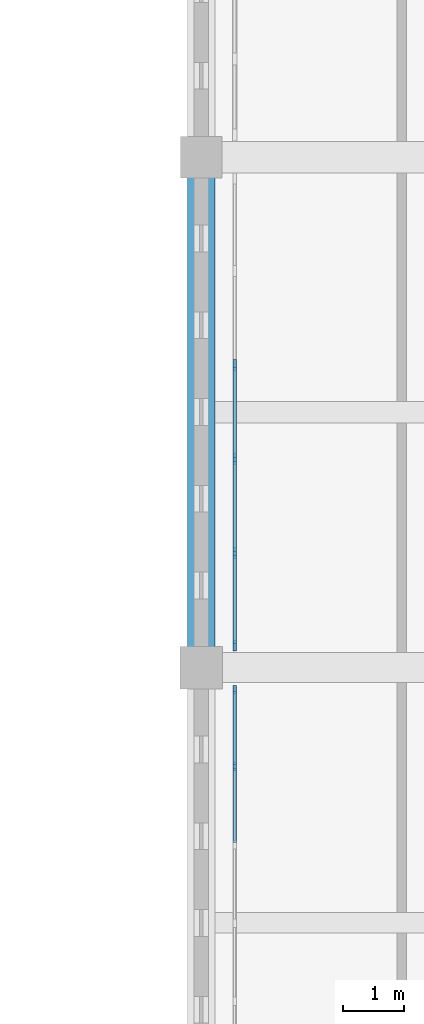
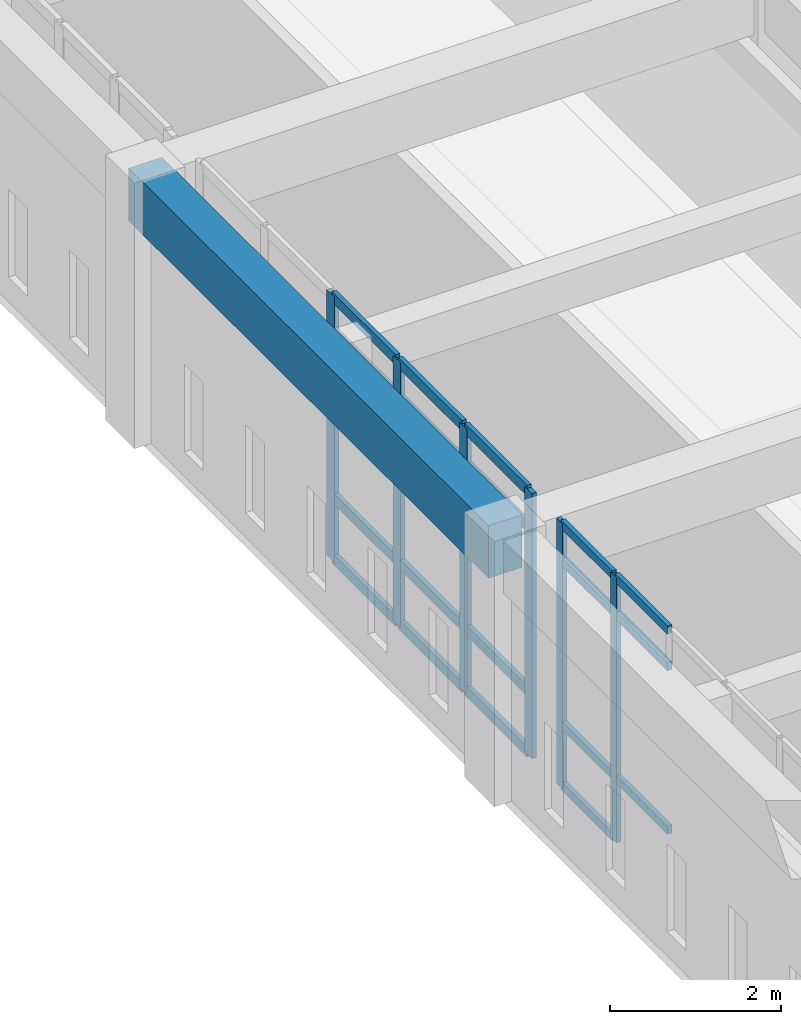
# One storey, part 21 of 110: 25 members, 1 beam, 2 elements without a shape of their own.
"""IFC4 building model written with IfcOpenShell, lengths in metres."""

import ifcopenshell
import ifcopenshell.guid

model = None  # the IFC model being written
_history = None  # IfcOwnerHistory: only IFC2X3 demands one
_inside = {}  # id of a spatial element -> (the spatial element, [elements in it])
_under = {}  # id of a project, library or spatial element -> (it, [spatial elements below it])
_declared = {}  # id of a project -> (the project, [libraries it declares])
_typed = {}  # id of a type object -> (the type object, [elements of that type])
_made_of = {}  # id of a material, layer set ... -> (it, [elements and type objects made of it])


def new_model(schema):
    """Start an empty IFC model of exactly this schema.

    Asked for "IFC4X3", IfcOpenShell would pick the latest addendum, in which some entities
    have other attributes; the version numbers below select the first issue.
    IFC2X3 requires an IfcOwnerHistory on every rooted entity: one is made here for all.
    """
    global model, _history
    if schema == "IFC4X3":
        model = ifcopenshell.file(schema_version=(4, 3, 0, 0))
    else:
        model = ifcopenshell.file(schema=schema)
    _inside.clear()
    _under.clear()
    _declared.clear()
    _typed.clear()
    _made_of.clear()
    _history = None
    if model.schema == "IFC2X3":
        org = make("IfcOrganization", Name="unknown")
        user = make(
            "IfcPersonAndOrganization",
            ThePerson=make("IfcPerson", FamilyName="unknown"),
            TheOrganization=org,
        )
        app = make(
            "IfcApplication",
            ApplicationDeveloper=org,
            Version="unknown",
            ApplicationFullName="unknown",
            ApplicationIdentifier="unknown",
        )
        _history = make(
            "IfcOwnerHistory",
            OwningUser=user,
            OwningApplication=app,
            ChangeAction="ADDED",
            CreationDate=0,
        )
    return model


def make(cls, **values):
    """One entity of the class cls with the attributes given. An attribute that is None is left unset."""
    return model.create_entity(
        cls, **{name: value for name, value in values.items() if value is not None}
    )


def rooted(cls, **values):
    """An entity with a GlobalId (a new one), such as an element, a storey or a relation."""
    return make(cls, GlobalId=ifcopenshell.guid.new(), OwnerHistory=_history, **values)


def si_unit(unit_type, name, prefix=None):
    """IfcSIUnit, for example si_unit("LENGTHUNIT", "METRE", prefix="MILLI")."""
    return make("IfcSIUnit", UnitType=unit_type, Prefix=prefix, Name=name)


def assignment(units):
    """IfcUnitAssignment: the units of a project."""
    return None if units is None else make("IfcUnitAssignment", Units=units)


def point(xyz):
    """IfcCartesianPoint."""
    return None if xyz is None else make("IfcCartesianPoint", Coordinates=xyz)


def direction(xyz):
    """IfcDirection."""
    return None if xyz is None else make("IfcDirection", DirectionRatios=xyz)


def frame(location, z_axis=None, x_axis=None):
    """IfcAxis2Placement3D, a coordinate frame: its origin and axes. An axis left out is left unset."""
    return make(
        "IfcAxis2Placement3D",
        Location=point(location),
        Axis=direction(z_axis),
        RefDirection=direction(x_axis),
    )


def frame_2d(location, x_axis=None):
    """IfcAxis2Placement2D, a coordinate frame in the plane: its origin and x axis."""
    return make(
        "IfcAxis2Placement2D", Location=point(location), RefDirection=direction(x_axis)
    )


def origin():
    """The frame at (0, 0, 0) with its axes left unset."""
    return frame((0.0, 0.0, 0.0))


def origin_2d():
    """The frame at (0, 0) in the plane with its x axis left unset."""
    return frame_2d((0.0, 0.0))


def place(relative_to, where):
    """IfcLocalPlacement: puts the frame where relative to a parent placement (None: the world)."""
    return make(
        "IfcLocalPlacement", PlacementRelTo=relative_to, RelativePlacement=where
    )


def context(
    kind, dimensions, precision=None, world=None, true_north=None, identifier=None
):
    """IfcGeometricRepresentationContext, for example the 3D "Model" context."""
    return make(
        "IfcGeometricRepresentationContext",
        ContextIdentifier=identifier,
        ContextType=kind,
        CoordinateSpaceDimension=dimensions,
        Precision=precision,
        WorldCoordinateSystem=world,
        TrueNorth=true_north,
    )


def subcontext(parent, identifier, kind, view, scale=None):
    """IfcGeometricRepresentationSubContext, for example "Body" below "Model"."""
    return make(
        "IfcGeometricRepresentationSubContext",
        ContextIdentifier=identifier,
        ContextType=kind,
        ParentContext=parent,
        TargetScale=scale,
        TargetView=view,
    )


def project(units=None, contexts=None):
    """IfcProject with its units and contexts."""
    return rooted(
        "IfcProject",
        Name="project",
        RepresentationContexts=contexts,
        UnitsInContext=assignment(units),
    )


def spatial(cls, under=None, at=None, **own):
    """A site, building, storey or space (cls), placed at a placement, below another one or the project."""
    s = rooted(cls, ObjectPlacement=at, **own)
    if under is not None:
        _under.setdefault(under.id(), (under, []))[1].append(s)
    return s


def profile(cls, at=None, kind="AREA", **sizes):
    """A parametric profile (cls). Its sizes go by their IFC names, for example OverallWidth=200.0."""
    return make(cls, ProfileType=kind, Position=at, **sizes)


def rectangle(**sizes):
    """IfcRectangleProfileDef."""
    return profile("IfcRectangleProfileDef", **sizes)


def extrude(swept, where, along, depth):
    """IfcExtrudedAreaSolid: the profile swept, set in the frame where, extruded along a direction by depth."""
    return make(
        "IfcExtrudedAreaSolid",
        SweptArea=swept,
        Position=where,
        ExtrudedDirection=direction(along),
        Depth=depth,
    )


def shape(context_of_items, identifier, shape_type, items):
    """IfcShapeRepresentation: the items that make up one representation, for example the "Body"."""
    return make(
        "IfcShapeRepresentation",
        ContextOfItems=context_of_items,
        RepresentationIdentifier=identifier,
        RepresentationType=shape_type,
        Items=items,
    )


def material(Name=None, Category=None):
    """IfcMaterial."""
    return make("IfcMaterial", Name=Name, Category=Category)


def layer(
    of_material, thickness, ventilated=None, Name=None, Category=None, Priority=None
):
    """IfcMaterialLayer: one layer of a wall or slab, of a material (None: an air gap)."""
    return make(
        "IfcMaterialLayer",
        Material=of_material,
        LayerThickness=thickness,
        IsVentilated=ventilated,
        Name=Name,
        Category=Category,
        Priority=Priority,
    )


def layer_set(layers, Name=None):
    """IfcMaterialLayerSet."""
    return make("IfcMaterialLayerSet", MaterialLayers=layers, LayerSetName=Name)


def material_profile(
    of_material, cross_section, Name=None, Category=None, Priority=None
):
    """IfcMaterialProfile: a cross section and its material."""
    return make(
        "IfcMaterialProfile",
        Name=Name,
        Material=of_material,
        Profile=cross_section,
        Priority=Priority,
        Category=Category,
    )


def profile_set(profiles, Name=None, composite=None):
    """IfcMaterialProfileSet."""
    return make(
        "IfcMaterialProfileSet",
        Name=Name,
        MaterialProfiles=profiles,
        CompositeProfile=composite,
    )


def made_of(thing, what):
    """Note that an element or type object is made of a material, layer set ...; save() writes the relation."""
    if what is not None:
        _made_of.setdefault(what.id(), (what, []))[1].append(thing)
    return thing


def type_object(cls, material=None, **own):
    """A type object (cls), such as IfcWallType, which elements share."""
    return made_of(rooted(cls, **own), material)


def element(
    cls,
    number,
    at=None,
    inside=None,
    cuts=None,
    type_object=None,
    material=None,
    context=None,
    identifier="Body",
    shape_type=None,
    held_by="IfcProductDefinitionShape",
    body=None,
    shapes=None,
    **own,
):
    """One element of the class cls, such as IfcWall. Its Tag is "e" and its number.

    at: its placement. inside: the storey or other place that contains it. cuts: it is an
    opening in that element (IfcRelVoidsElement). A single representation is given by context,
    identifier, shape_type and body (its items); several are given by shapes. held_by: the class
    of the entity that holds the representations. save() writes the other relations.
    """
    e = rooted(cls, Tag="e%d" % number, ObjectPlacement=at, **own)
    if body is not None:
        shapes = [shape(context, identifier, shape_type, body)]
    if shapes is not None:
        e.Representation = make(held_by, Representations=shapes)
    if inside is not None:
        _inside.setdefault(inside.id(), (inside, []))[1].append(e)
    if cuts is not None:
        rooted(
            "IfcRelVoidsElement", RelatingBuildingElement=cuts, RelatedOpeningElement=e
        )
    if type_object is not None:
        _typed.setdefault(type_object.id(), (type_object, []))[1].append(e)
    return made_of(e, material)


def aggregate(whole, parts):
    """IfcRelAggregates: a whole, such as a stair, and the parts it consists of."""
    return rooted("IfcRelAggregates", RelatingObject=whole, RelatedObjects=parts)


def save(model, path):
    """Write the relations noted so far, then the file.

    IfcRelAggregates (storeys below a building ...), IfcRelContainedInSpatialStructure (elements
    in a storey), IfcRelDefinesByType, IfcRelAssociatesMaterial and IfcRelDeclares: one each for
    every whole, place, type object, material and project.
    """
    for whole, parts in _under.values():
        aggregate(whole, parts)
    for where, things in _inside.values():
        rooted(
            "IfcRelContainedInSpatialStructure",
            RelatedElements=things,
            RelatingStructure=where,
        )
    for kind, things in _typed.values():
        rooted("IfcRelDefinesByType", RelatedObjects=things, RelatingType=kind)
    for what, things in _made_of.values():
        rooted("IfcRelAssociatesMaterial", RelatedObjects=things, RelatingMaterial=what)
    for by, libraries in _declared.values():
        rooted("IfcRelDeclares", RelatingContext=by, RelatedDefinitions=libraries)
    model.write(path)


model = new_model("IFC4")

# Units and contexts
model_context = context("Model", 3, precision=1e-05, world=origin(), true_north=direction((0.0, 1.0)))
body_context = subcontext(model_context, "Body", "Model", "MODEL_VIEW")
ifc_project = project(units=[si_unit("LENGTHUNIT", "METRE"), si_unit("AREAUNIT", "SQUARE_METRE"), si_unit("VOLUMEUNIT", "CUBIC_METRE"), si_unit("PLANEANGLEUNIT", "RADIAN"), si_unit("MASSUNIT", "GRAM", prefix="KILO")], contexts=[model_context])

# Site, building, storey
site_placement = place(None, origin())
site = spatial("IfcSite", under=ifc_project, at=site_placement, CompositionType="ELEMENT")
building_placement = place(site_placement, origin())
building = spatial("IfcBuilding", under=site, at=building_placement, Name="Kveldsbrygga Polytechnic", CompositionType="ELEMENT")
storey_placement = place(building_placement, frame((0.0, 0.0, 9.860107421875)))
storey = spatial("IfcBuildingStorey", under=building, at=storey_placement, Name="L02", CompositionType="ELEMENT", Elevation=9.860107421875)

# Beam
ifc_material_1 = material(Name="Concrete C35/45", Category="concrete")
ifc_material_profile_1 = material_profile(ifc_material_1, rectangle(XDim=0.449951171875, YDim=0.75, at=origin_2d()), Name="RC 450x750")
ifc_profile_set_1 = profile_set([ifc_material_profile_1], Name="Concrete C35/45")
beam_type = type_object("IfcBeamType", Name="BM-RC-450x750", PredefinedType="BEAM", material=ifc_profile_set_1)
beam_placement = place(storey_placement, frame((126.0, 58.800048828125, 3.375), z_axis=(0.0, 1.0, 0.0), x_axis=(-1.0, 0.0, 0.0)))
element("IfcBeam", 1, at=beam_placement, inside=storey, type_object=beam_type, Name="Primary Beam BMY-L02-15-07to08", PredefinedType="BEAM", context=body_context, shape_type="SweptSolid", body=[
    extrude(rectangle(XDim=0.449951171875, YDim=0.75, at=origin_2d()), origin(), (0.0, 0.0, 1.0), 8.39990234375),
])

# Curtain wall, members
ifc_material_2 = material(Name="Anodised aluminium AW-6060", Category="aluminium")
ifc_layer_1 = layer(ifc_material_2, 0.179931640625)
ifc_layer_set_1 = layer_set([ifc_layer_1], Name="Anodised aluminium AW-6060")
curtain_wall_type_1 = type_object("IfcCurtainWallType", Name="CW-CONC-A", PredefinedType="USERDEFINED", material=ifc_layer_set_1)
curtain_wall_1_placement = place(storey_placement, origin())
curtain_wall_1 = element("IfcCurtainWall", 2, at=curtain_wall_1_placement, inside=storey, type_object=curtain_wall_type_1, Name="Curtain Wall CW-L02-Y-15-06", ObjectType="UNITISED CURTAIN WALL", PredefinedType="USERDEFINED")
ifc_material_profile_2 = material_profile(ifc_material_2, rectangle(XDim=0.06005859375, YDim=0.139892578125, at=origin_2d()), Name="ALU 60x140")
ifc_profile_set_2 = profile_set([ifc_material_profile_2], Name="Anodised aluminium AW-6060")
member_type_1 = type_object("IfcMemberType", Name="CW-MUL-140", PredefinedType="MULLION", material=ifc_profile_set_2)
member_1_placement = place(storey_placement, frame((126.550048828125, 57.175048828125, 0.0), z_axis=(0.0, 0.0, 1.0), x_axis=(-1.0, 0.0, 0.0)))
member_1 = element("IfcMember", 3, at=member_1_placement, type_object=member_type_1, Name="CW-01 mullion 6", PredefinedType="MULLION", context=body_context, shape_type="SweptSolid", body=[
    extrude(rectangle(XDim=0.06005859375, YDim=0.139892578125, at=origin_2d()), origin(), (0.0, 0.0, 1.0), 3.77978515625),
])
member_2_placement = place(storey_placement, frame((126.550048828125, 58.43505859375, 0.0), z_axis=(0.0, 0.0, 1.0), x_axis=(-1.0, 0.0, 0.0)))
member_2 = element("IfcMember", 4, at=member_2_placement, type_object=member_type_1, Name="CW-01 mullion 7", PredefinedType="MULLION", context=body_context, shape_type="SweptSolid", body=[
    extrude(rectangle(XDim=0.06005859375, YDim=0.139892578125, at=origin_2d()), origin(), (0.0, 0.0, 1.0), 3.77978515625),
])

ifc_layer_2 = layer(ifc_material_2, 0.199951171875)
ifc_layer_set_2 = layer_set([ifc_layer_2], Name="Anodised aluminium AW-6060")
curtain_wall_type_2 = type_object("IfcCurtainWallType", Name="CW-CONC-B", PredefinedType="USERDEFINED", material=ifc_layer_set_2)
curtain_wall_2_placement = place(storey_placement, origin())
curtain_wall_2 = element("IfcCurtainWall", 5, at=curtain_wall_2_placement, inside=storey, type_object=curtain_wall_type_2, Name="Curtain Wall CW-L02-Y-15-07", ObjectType="UNITISED CURTAIN WALL", PredefinedType="USERDEFINED")
ifc_material_profile_3 = material_profile(ifc_material_2, rectangle(XDim=0.06005859375, YDim=0.179931640625, at=origin_2d()), Name="ALU 60x180")
ifc_profile_set_3 = profile_set([ifc_material_profile_3], Name="Anodised aluminium AW-6060")
member_type_2 = type_object("IfcMemberType", Name="CW-MUL-180", PredefinedType="MULLION", material=ifc_profile_set_3)
member_3_placement = place(storey_placement, frame((126.550048828125, 59.1650390625, 0.0), z_axis=(0.0, 0.0, 1.0), x_axis=(-1.0, 0.0, 0.0)))
member_3 = element("IfcMember", 6, at=member_3_placement, type_object=member_type_2, Name="CW-02 mullion 1", PredefinedType="MULLION", context=body_context, shape_type="SweptSolid", body=[
    extrude(rectangle(XDim=0.06005859375, YDim=0.179931640625, at=origin_2d()), origin(), (0.0, 0.0, 1.0), 3.77978515625),
])
member_4_placement = place(storey_placement, frame((126.550048828125, 60.68310546875, 0.0), z_axis=(0.0, 0.0, 1.0), x_axis=(-1.0, 0.0, 0.0)))
member_4 = element("IfcMember", 7, at=member_4_placement, type_object=member_type_2, Name="CW-02 mullion 2", PredefinedType="MULLION", context=body_context, shape_type="SweptSolid", body=[
    extrude(rectangle(XDim=0.06005859375, YDim=0.179931640625, at=origin_2d()), origin(), (0.0, 0.0, 1.0), 3.77978515625),
])
member_5_placement = place(storey_placement, frame((126.550048828125, 62.23095703125, 0.0), z_axis=(0.0, 0.0, 1.0), x_axis=(-1.0, 0.0, 0.0)))
member_5 = element("IfcMember", 8, at=member_5_placement, type_object=member_type_2, Name="CW-02 mullion 3", PredefinedType="MULLION", context=body_context, shape_type="SweptSolid", body=[
    extrude(rectangle(XDim=0.06005859375, YDim=0.179931640625, at=origin_2d()), origin(), (0.0, 0.0, 1.0), 3.77978515625),
])
member_6_placement = place(storey_placement, frame((126.550048828125, 63.779052734375, 0.0), z_axis=(0.0, 0.0, 1.0), x_axis=(-1.0, 0.0, 0.0)))
member_6 = element("IfcMember", 9, at=member_6_placement, type_object=member_type_2, Name="CW-02 mullion 4", PredefinedType="MULLION", context=body_context, shape_type="SweptSolid", body=[
    extrude(rectangle(XDim=0.06005859375, YDim=0.179931640625, at=origin_2d()), origin(), (0.0, 0.0, 1.0), 3.77978515625),
])

# Member
ifc_material_profile_4 = material_profile(ifc_material_2, rectangle(XDim=0.06005859375, YDim=0.1201171875, at=origin_2d()), Name="ALU 60x120")
ifc_profile_set_4 = profile_set([ifc_material_profile_4], Name="Anodised aluminium AW-6060")
member_type_3 = type_object("IfcMemberType", Name="CW-TRN-120", PredefinedType="USERDEFINED", material=ifc_profile_set_4)
member_7_placement = place(storey_placement, frame((126.550048828125, 55.9150390625, 0.89990234375), z_axis=(0.0, 1.0, 0.0), x_axis=(-1.0, 0.0, 0.0)))
member_7 = element("IfcMember", 10, at=member_7_placement, type_object=member_type_3, Name="CW-01 transom 5.2", ObjectType="TRANSOM", PredefinedType="USERDEFINED", context=body_context, shape_type="SweptSolid", body=[
    extrude(rectangle(XDim=0.06005859375, YDim=0.1201171875, at=origin_2d()), origin(), (0.0, 0.0, 1.0), 1.22998046875),
])

member_8_placement = place(storey_placement, frame((126.550048828125, 55.9150390625, 3.22998046875), z_axis=(0.0, 1.0, 0.0), x_axis=(-1.0, 0.0, 0.0)))
member_8 = element("IfcMember", 11, at=member_8_placement, type_object=member_type_3, Name="CW-01 transom 5.3", ObjectType="TRANSOM", PredefinedType="USERDEFINED", context=body_context, shape_type="SweptSolid", body=[
    extrude(rectangle(XDim=0.06005859375, YDim=0.1201171875, at=origin_2d()), origin(), (0.0, 0.0, 1.0), 1.22998046875),
])

member_9_placement = place(storey_placement, frame((126.550048828125, 55.9150390625, 3.75), z_axis=(0.0, 1.0, 0.0), x_axis=(-1.0, 0.0, 0.0)))
member_9 = element("IfcMember", 12, at=member_9_placement, type_object=member_type_3, Name="CW-01 transom 5.4", ObjectType="TRANSOM", PredefinedType="USERDEFINED", context=body_context, shape_type="SweptSolid", body=[
    extrude(rectangle(XDim=0.06005859375, YDim=0.1201171875, at=origin_2d()), origin(), (0.0, 0.0, 1.0), 1.22998046875),
])

member_10_placement = place(storey_placement, frame((126.550048828125, 57.205078125, 0.02978515625), z_axis=(0.0, 1.0, 0.0), x_axis=(-1.0, 0.0, 0.0)))
member_10 = element("IfcMember", 13, at=member_10_placement, type_object=member_type_3, Name="CW-01 transom 6.1", ObjectType="TRANSOM", PredefinedType="USERDEFINED", context=body_context, shape_type="SweptSolid", body=[
    extrude(rectangle(XDim=0.06005859375, YDim=0.1201171875, at=origin_2d()), origin(), (0.0, 0.0, 1.0), 1.199951171875),
])

member_11_placement = place(storey_placement, frame((126.550048828125, 57.205078125, 0.89990234375), z_axis=(0.0, 1.0, 0.0), x_axis=(-1.0, 0.0, 0.0)))
member_11 = element("IfcMember", 14, at=member_11_placement, type_object=member_type_3, Name="CW-01 transom 6.2", ObjectType="TRANSOM", PredefinedType="USERDEFINED", context=body_context, shape_type="SweptSolid", body=[
    extrude(rectangle(XDim=0.06005859375, YDim=0.1201171875, at=origin_2d()), origin(), (0.0, 0.0, 1.0), 1.199951171875),
])

member_12_placement = place(storey_placement, frame((126.550048828125, 57.205078125, 3.22998046875), z_axis=(0.0, 1.0, 0.0), x_axis=(-1.0, 0.0, 0.0)))
member_12 = element("IfcMember", 15, at=member_12_placement, type_object=member_type_3, Name="CW-01 transom 6.3", ObjectType="TRANSOM", PredefinedType="USERDEFINED", context=body_context, shape_type="SweptSolid", body=[
    extrude(rectangle(XDim=0.06005859375, YDim=0.1201171875, at=origin_2d()), origin(), (0.0, 0.0, 1.0), 1.199951171875),
])

member_13_placement = place(storey_placement, frame((126.550048828125, 57.205078125, 3.75), z_axis=(0.0, 1.0, 0.0), x_axis=(-1.0, 0.0, 0.0)))
member_13 = element("IfcMember", 16, at=member_13_placement, type_object=member_type_3, Name="CW-01 transom 6.4", ObjectType="TRANSOM", PredefinedType="USERDEFINED", context=body_context, shape_type="SweptSolid", body=[
    extrude(rectangle(XDim=0.06005859375, YDim=0.1201171875, at=origin_2d()), origin(), (0.0, 0.0, 1.0), 1.199951171875),
])

aggregate(curtain_wall_1, [member_1, member_2, member_7, member_8, member_9, member_10, member_11, member_12, member_13])

ifc_material_profile_5 = material_profile(ifc_material_2, rectangle(XDim=0.06005859375, YDim=0.14990234375, at=origin_2d()), Name="ALU 60x150")
ifc_profile_set_5 = profile_set([ifc_material_profile_5], Name="Anodised aluminium AW-6060")
member_type_4 = type_object("IfcMemberType", Name="CW-TRN-150", PredefinedType="USERDEFINED", material=ifc_profile_set_5)
member_14_placement = place(storey_placement, frame((126.550048828125, 59.195068359375, 0.02978515625), z_axis=(0.0, 1.0, 0.0), x_axis=(-1.0, 0.0, 0.0)))
member_14 = element("IfcMember", 17, at=member_14_placement, type_object=member_type_4, Name="CW-02 transom 1.1", ObjectType="TRANSOM", PredefinedType="USERDEFINED", context=body_context, shape_type="SweptSolid", body=[
    extrude(rectangle(XDim=0.06005859375, YDim=0.14990234375, at=origin_2d()), origin(), (0.0, 0.0, 1.0), 1.4580078125),
])

member_15_placement = place(storey_placement, frame((126.550048828125, 59.195068359375, 0.89990234375), z_axis=(0.0, 1.0, 0.0), x_axis=(-1.0, 0.0, 0.0)))
member_15 = element("IfcMember", 18, at=member_15_placement, type_object=member_type_4, Name="CW-02 transom 1.2", ObjectType="TRANSOM", PredefinedType="USERDEFINED", context=body_context, shape_type="SweptSolid", body=[
    extrude(rectangle(XDim=0.06005859375, YDim=0.14990234375, at=origin_2d()), origin(), (0.0, 0.0, 1.0), 1.4580078125),
])

member_16_placement = place(storey_placement, frame((126.550048828125, 59.195068359375, 3.22998046875), z_axis=(0.0, 1.0, 0.0), x_axis=(-1.0, 0.0, 0.0)))
member_16 = element("IfcMember", 19, at=member_16_placement, type_object=member_type_4, Name="CW-02 transom 1.3", ObjectType="TRANSOM", PredefinedType="USERDEFINED", context=body_context, shape_type="SweptSolid", body=[
    extrude(rectangle(XDim=0.06005859375, YDim=0.14990234375, at=origin_2d()), origin(), (0.0, 0.0, 1.0), 1.4580078125),
])

member_17_placement = place(storey_placement, frame((126.550048828125, 59.195068359375, 3.75), z_axis=(0.0, 1.0, 0.0), x_axis=(-1.0, 0.0, 0.0)))
member_17 = element("IfcMember", 20, at=member_17_placement, type_object=member_type_4, Name="CW-02 transom 1.4", ObjectType="TRANSOM", PredefinedType="USERDEFINED", context=body_context, shape_type="SweptSolid", body=[
    extrude(rectangle(XDim=0.06005859375, YDim=0.14990234375, at=origin_2d()), origin(), (0.0, 0.0, 1.0), 1.4580078125),
])

member_18_placement = place(storey_placement, frame((126.550048828125, 60.712890625, 0.02978515625), z_axis=(0.0, 1.0, 0.0), x_axis=(-1.0, 0.0, 0.0)))
member_18 = element("IfcMember", 21, at=member_18_placement, type_object=member_type_4, Name="CW-02 transom 2.1", ObjectType="TRANSOM", PredefinedType="USERDEFINED", context=body_context, shape_type="SweptSolid", body=[
    extrude(rectangle(XDim=0.06005859375, YDim=0.14990234375, at=origin_2d()), origin(), (0.0, 0.0, 1.0), 1.488037109375),
])

member_19_placement = place(storey_placement, frame((126.550048828125, 60.712890625, 0.89990234375), z_axis=(0.0, 1.0, 0.0), x_axis=(-1.0, 0.0, 0.0)))
member_19 = element("IfcMember", 22, at=member_19_placement, type_object=member_type_4, Name="CW-02 transom 2.2", ObjectType="TRANSOM", PredefinedType="USERDEFINED", context=body_context, shape_type="SweptSolid", body=[
    extrude(rectangle(XDim=0.06005859375, YDim=0.14990234375, at=origin_2d()), origin(), (0.0, 0.0, 1.0), 1.488037109375),
])

member_20_placement = place(storey_placement, frame((126.550048828125, 60.712890625, 3.22998046875), z_axis=(0.0, 1.0, 0.0), x_axis=(-1.0, 0.0, 0.0)))
member_20 = element("IfcMember", 23, at=member_20_placement, type_object=member_type_4, Name="CW-02 transom 2.3", ObjectType="TRANSOM", PredefinedType="USERDEFINED", context=body_context, shape_type="SweptSolid", body=[
    extrude(rectangle(XDim=0.06005859375, YDim=0.14990234375, at=origin_2d()), origin(), (0.0, 0.0, 1.0), 1.488037109375),
])

member_21_placement = place(storey_placement, frame((126.550048828125, 60.712890625, 3.75), z_axis=(0.0, 1.0, 0.0), x_axis=(-1.0, 0.0, 0.0)))
member_21 = element("IfcMember", 24, at=member_21_placement, type_object=member_type_4, Name="CW-02 transom 2.4", ObjectType="TRANSOM", PredefinedType="USERDEFINED", context=body_context, shape_type="SweptSolid", body=[
    extrude(rectangle(XDim=0.06005859375, YDim=0.14990234375, at=origin_2d()), origin(), (0.0, 0.0, 1.0), 1.488037109375),
])

member_22_placement = place(storey_placement, frame((126.550048828125, 62.260986328125, 0.02978515625), z_axis=(0.0, 1.0, 0.0), x_axis=(-1.0, 0.0, 0.0)))
member_22 = element("IfcMember", 25, at=member_22_placement, type_object=member_type_4, Name="CW-02 transom 3.1", ObjectType="TRANSOM", PredefinedType="USERDEFINED", context=body_context, shape_type="SweptSolid", body=[
    extrude(rectangle(XDim=0.06005859375, YDim=0.14990234375, at=origin_2d()), origin(), (0.0, 0.0, 1.0), 1.488037109375),
])

member_23_placement = place(storey_placement, frame((126.550048828125, 62.260986328125, 0.89990234375), z_axis=(0.0, 1.0, 0.0), x_axis=(-1.0, 0.0, 0.0)))
member_23 = element("IfcMember", 26, at=member_23_placement, type_object=member_type_4, Name="CW-02 transom 3.2", ObjectType="TRANSOM", PredefinedType="USERDEFINED", context=body_context, shape_type="SweptSolid", body=[
    extrude(rectangle(XDim=0.06005859375, YDim=0.14990234375, at=origin_2d()), origin(), (0.0, 0.0, 1.0), 1.488037109375),
])

member_24_placement = place(storey_placement, frame((126.550048828125, 62.260986328125, 3.22998046875), z_axis=(0.0, 1.0, 0.0), x_axis=(-1.0, 0.0, 0.0)))
member_24 = element("IfcMember", 27, at=member_24_placement, type_object=member_type_4, Name="CW-02 transom 3.3", ObjectType="TRANSOM", PredefinedType="USERDEFINED", context=body_context, shape_type="SweptSolid", body=[
    extrude(rectangle(XDim=0.06005859375, YDim=0.14990234375, at=origin_2d()), origin(), (0.0, 0.0, 1.0), 1.488037109375),
])

member_25_placement = place(storey_placement, frame((126.550048828125, 62.260986328125, 3.75), z_axis=(0.0, 1.0, 0.0), x_axis=(-1.0, 0.0, 0.0)))
member_25 = element("IfcMember", 28, at=member_25_placement, type_object=member_type_4, Name="CW-02 transom 3.4", ObjectType="TRANSOM", PredefinedType="USERDEFINED", context=body_context, shape_type="SweptSolid", body=[
    extrude(rectangle(XDim=0.06005859375, YDim=0.14990234375, at=origin_2d()), origin(), (0.0, 0.0, 1.0), 1.488037109375),
])

aggregate(curtain_wall_2, [member_3, member_4, member_5, member_6, member_14, member_15, member_16, member_17, member_18, member_19, member_20, member_21, member_22, member_23, member_24, member_25])

save(model, "model.ifc")
